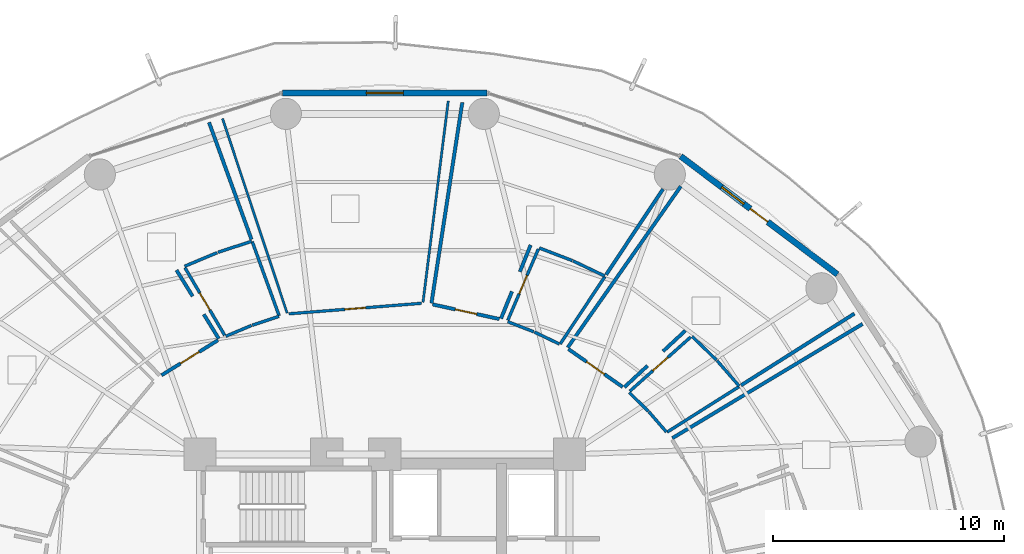
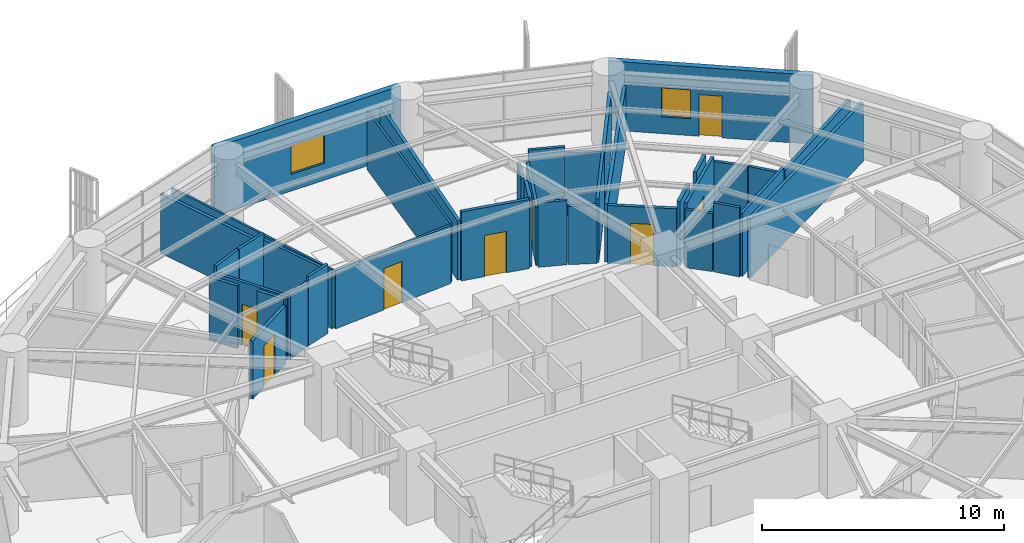
# One storey, part 28 of 33: 38 walls, 8 doors, 2 windows, 10 openings.
"""IFC4 building model written with IfcOpenShell, lengths in metres."""

from ifc_helpers import new_model, si_unit, direction, frame, frame_2d, origin, place, context, subcontext, project, spatial, rectangle, extrude, material, layer, layer_set, type_object, element, fill, save


model = new_model("IFC4")

# Units and contexts
model_context = context("Model", 3, precision=1e-05, world=origin(), true_north=direction((0.0, 1.0)))
body_context = subcontext(model_context, "Body", "Model", "MODEL_VIEW")
ifc_project = project(units=[si_unit("LENGTHUNIT", "METRE"), si_unit("AREAUNIT", "SQUARE_METRE"), si_unit("VOLUMEUNIT", "CUBIC_METRE"), si_unit("PLANEANGLEUNIT", "RADIAN"), si_unit("MASSUNIT", "GRAM", prefix="KILO")], contexts=[model_context])

# Site, building, storey
site_placement = place(None, origin())
site = spatial("IfcSite", under=ifc_project, at=site_placement, CompositionType="ELEMENT")
building_placement = place(site_placement, origin())
building = spatial("IfcBuilding", under=site, at=building_placement, Name="Kelanora Arch Commons", CompositionType="ELEMENT")
storey_placement = place(building_placement, frame((0.0, 0.0, 80.10009765625)))
storey = spatial("IfcBuildingStorey", under=building, at=storey_placement, Name="L20", CompositionType="ELEMENT", Elevation=80.10009765625)

# Wall, opening, door
ifc_material_1 = material(Name="Autoclaved aerated concrete blockwork with fire plaster", Category="masonry")
ifc_layer_1 = layer(ifc_material_1, 0.14990234375)
ifc_layer_set_1 = layer_set([ifc_layer_1], Name="Autoclaved aerated concrete blockwork with fire plaster")
wall_type_1 = type_object("IfcWallType", Name="W-COMP-150", PredefinedType="PARTITIONING", material=ifc_layer_set_1)
wall_1_placement = place(storey_placement, frame((84.2978515625, 67.92041015625, 0.0), z_axis=(0.0, 0.0, 1.0), x_axis=(-0.819775565256, 0.572684924378, 0.0)))
wall_1 = element("IfcWall", 1, at=wall_1_placement, inside=storey, type_object=wall_type_1, Name="Co-Living Studio L20-02 Entry Partition", PredefinedType="PARTITIONING", context=body_context, shape_type="SweptSolid", body=[
    extrude(rectangle(XDim=2.867431640625, YDim=0.14990234375, at=frame_2d((1.43359375, 0.0))), origin(), (0.0, 0.0, 1.0), 2.9248046875),
])
opening_1_placement = place(wall_1_placement, frame((0.958984375, 0.0, 0.0)))
opening_1 = element("IfcOpeningElement", 2, at=opening_1_placement, cuts=wall_1, Name="Opening D-CLU1", PredefinedType="OPENING", context=body_context, shape_type="SweptSolid", body=[
    extrude(rectangle(XDim=0.949951171875, YDim=2.080078125, at=frame_2d((0.47509765625, 1.0400390625))), frame((0.0, 0.0849609375, 0.0), z_axis=(0.0, -1.0, 0.0), x_axis=(1.0, 0.0, 0.0)), (0.0, 0.0, 1.0), 0.169921875),
])
ifc_material_2 = material(Name="Solid-core acoustic timber cluster entry fire door", Category="wood")
door_type_1 = type_object("IfcDoorType", Name="D-CLU-95", OperationType="NOTDEFINED", PredefinedType="DOOR", material=ifc_material_2)
door_1_placement = place(opening_1_placement, origin())
door_1 = element("IfcDoor", 3, at=door_1_placement, inside=storey, type_object=door_type_1, Name="Co-Living Studio L20-02 Door", OperationType="SINGLE_SWING_RIGHT", OverallHeight=2.080078125, OverallWidth=0.949951171875, PredefinedType="DOOR", context=body_context, shape_type="SweptSolid", body=[
    extrude(rectangle(XDim=0.949951171875, YDim=2.080078125, at=frame_2d((0.47509765625, 1.0400390625))), frame((0.0, 0.02490234375, 0.0), z_axis=(0.0, -1.0, 0.0), x_axis=(1.0, 0.0, 0.0)), (0.0, 0.0, 1.0), 0.050048828125),
])
fill(opening_1, door_1)

wall_2_placement = place(storey_placement, frame((78.96044921875, 70.86083984375, 0.0), z_axis=(0.0, 0.0, 1.0), x_axis=(-0.976789452363, 0.214201694093, 0.0)))
wall_2 = element("IfcWall", 4, at=wall_2_placement, inside=storey, type_object=wall_type_1, Name="Co-Living Studio L20-03 Entry Partition", PredefinedType="PARTITIONING", context=body_context, shape_type="SweptSolid", body=[
    extrude(rectangle(XDim=2.95654296875, YDim=0.14990234375, at=frame_2d((1.478271484375, 0.0))), origin(), (0.0, 0.0, 1.0), 3.47998046875),
])
opening_2_placement = place(wall_2_placement, frame((1.0029296875, 0.0, 0.0)))
opening_2 = element("IfcOpeningElement", 5, at=opening_2_placement, cuts=wall_2, Name="Opening D-CLU1", PredefinedType="OPENING", context=body_context, shape_type="SweptSolid", body=[
    extrude(rectangle(XDim=0.949951171875, YDim=2.080078125, at=frame_2d((0.47509765625, 1.0400390625))), frame((0.0, 0.0849609375, 0.0), z_axis=(0.0, -1.0, 0.0), x_axis=(1.0, 0.0, 0.0)), (0.0, 0.0, 1.0), 0.169921875),
])
door_2_placement = place(opening_2_placement, origin())
door_2 = element("IfcDoor", 6, at=door_2_placement, inside=storey, type_object=door_type_1, Name="Co-Living Studio L20-03 Door", OperationType="SINGLE_SWING_RIGHT", OverallHeight=2.080078125, OverallWidth=0.949951171875, PredefinedType="DOOR", context=body_context, shape_type="SweptSolid", body=[
    extrude(rectangle(XDim=0.949951171875, YDim=2.080078125, at=frame_2d((0.47509765625, 1.0400390625))), frame((0.0, 0.02490234375, 0.0), z_axis=(0.0, -1.0, 0.0), x_axis=(1.0, 0.0, 0.0)), (0.0, 0.0, 1.0), 0.050048828125),
])
fill(opening_2, door_2)

wall_3_placement = place(storey_placement, frame((66.779052734375, 69.947265625, 0.0), z_axis=(0.0, 0.0, 1.0), x_axis=(-0.849569495091, -0.527476703761, 0.0)))
wall_3 = element("IfcWall", 7, at=wall_3_placement, inside=storey, type_object=wall_type_1, Name="Co-Living Studio L20-05 Entry Partition", PredefinedType="PARTITIONING", context=body_context, shape_type="SweptSolid", body=[
    extrude(rectangle(XDim=2.882568359375, YDim=0.14990234375, at=frame_2d((1.44140625, 0.0))), origin(), (0.0, 0.0, 1.0), 2.9248046875),
])
opening_3_placement = place(wall_3_placement, frame((0.966064453125, 0.0, 0.0)))
opening_3 = element("IfcOpeningElement", 8, at=opening_3_placement, cuts=wall_3, Name="Opening D-CLU1", PredefinedType="OPENING", context=body_context, shape_type="SweptSolid", body=[
    extrude(rectangle(XDim=0.949951171875, YDim=2.080078125, at=frame_2d((0.47509765625, 1.0400390625))), frame((0.0, 0.0849609375, 0.0), z_axis=(0.0, -1.0, 0.0), x_axis=(1.0, 0.0, 0.0)), (0.0, 0.0, 1.0), 0.169921875),
])
door_3_placement = place(opening_3_placement, origin())
door_3 = element("IfcDoor", 9, at=door_3_placement, inside=storey, type_object=door_type_1, Name="Co-Living Studio L20-05 Door", OperationType="SINGLE_SWING_LEFT", OverallHeight=2.080078125, OverallWidth=0.949951171875, PredefinedType="DOOR", context=body_context, shape_type="SweptSolid", body=[
    extrude(rectangle(XDim=0.949951171875, YDim=2.080078125, at=frame_2d((0.47509765625, 1.0400390625))), frame((0.0, 0.02490234375, 0.0), z_axis=(0.0, -1.0, 0.0), x_axis=(1.0, 0.0, 0.0)), (0.0, 0.0, 1.0), 0.050048828125),
])
fill(opening_3, door_3)

# Walls
wall_4_placement = place(storey_placement, frame((86.4501953125, 65.70166015625, 0.0), z_axis=(0.0, 0.0, 1.0), x_axis=(0.857261851198, 0.514880683731, 0.0)))
element("IfcWall", 10, at=wall_4_placement, inside=storey, type_object=wall_type_1, Name="Co-Living Studio L20-01 Enclosure Partition 2", PredefinedType="PARTITIONING", context=body_context, shape_type="SweptSolid", body=[
    extrude(rectangle(XDim=9.605712890625, YDim=0.14990234375, at=frame_2d((4.802734375, 0.0))), origin(), (0.0, 0.0, 1.0), 2.974853515625),
])
wall_5_placement = place(storey_placement, frame((81.9208984375, 69.629638671875, 0.0), z_axis=(0.0, 0.0, 1.0), x_axis=(0.574246298275, 0.818682593511, 0.0)))
element("IfcWall", 11, at=wall_5_placement, inside=storey, type_object=wall_type_1, Name="Co-Living Studio L20-02 Enclosure Partition 2", PredefinedType="PARTITIONING", context=body_context, shape_type="SweptSolid", body=[
    extrude(rectangle(XDim=8.524658203125, YDim=0.14990234375, at=frame_2d((4.26220703125, 0.0))), origin(), (0.0, 0.0, 1.0), 2.9248046875),
])
wall_6_placement = place(storey_placement, frame((94.333251953125, 71.0966796875, 0.0), z_axis=(0.0, 0.0, 1.0), x_axis=(-0.845032344767, -0.534715191759, 0.0)))
element("IfcWall", 12, at=wall_6_placement, inside=storey, type_object=wall_type_1, Name="Co-Living Studio L20-02 Enclosure Partition 5", PredefinedType="PARTITIONING", context=body_context, shape_type="SweptSolid", body=[
    extrude(rectangle(XDim=5.810791015625, YDim=0.14990234375, at=frame_2d((2.9052734375, 0.0))), origin(), (0.0, 0.0, 1.0), 2.974853515625),
])
wall_7_placement = place(storey_placement, frame((87.0166015625, 70.36279296875, 0.0), z_axis=(0.0, 0.0, 1.0), x_axis=(-0.733142432265, -0.680075123801, 0.0)))
element("IfcWall", 13, at=wall_7_placement, inside=storey, type_object=wall_type_1, Name="Co-Living Studio L20-02 Enclosure Partition 7", PredefinedType="PARTITIONING", context=body_context, shape_type="SweptSolid", body=[
    extrude(rectangle(XDim=1.3203125, YDim=0.14990234375, at=frame_2d((0.66015625, 0.0))), origin(), (0.0, 0.0, 1.0), 3.1748046875),
])
wall_8_placement = place(storey_placement, frame((85.3740234375, 68.8388671875, 0.0), z_axis=(0.0, 0.0, 1.0), x_axis=(-0.733068131904, -0.680155213159, 0.0)))
element("IfcWall", 14, at=wall_8_placement, inside=storey, type_object=wall_type_1, Name="Co-Living Studio L20-02 Enclosure Partition 7", PredefinedType="PARTITIONING", context=body_context, shape_type="SweptSolid", body=[
    extrude(rectangle(XDim=1.361083984375, YDim=0.14990234375, at=frame_2d((0.6806640625, 0.0))), origin(), (0.0, 0.0, 1.0), 3.23486328125),
])
wall_9_placement = place(storey_placement, frame((76.02001953125, 71.54638671875, 0.0), z_axis=(0.0, 0.0, 1.0), x_axis=(0.151710828081, 0.988424921096, 0.0)))
element("IfcWall", 15, at=wall_9_placement, inside=storey, type_object=wall_type_1, Name="Co-Living Studio L20-03 Enclosure Partition 2", PredefinedType="PARTITIONING", context=body_context, shape_type="SweptSolid", body=[
    extrude(rectangle(XDim=8.79296875, YDim=0.14990234375, at=frame_2d((4.396484375, 0.0))), origin(), (0.0, 0.0, 1.0), 2.974853515625),
])
wall_10_placement = place(storey_placement, frame((86.042724609375, 76.488037109375, 0.0), z_axis=(0.0, 0.0, 1.0), x_axis=(-0.553014365691, -0.833171717799, 0.0)))
element("IfcWall", 16, at=wall_10_placement, inside=storey, type_object=wall_type_1, Name="Co-Living Studio L20-03 Enclosure Partition 5", PredefinedType="PARTITIONING", context=body_context, shape_type="SweptSolid", body=[
    extrude(rectangle(XDim=4.44775390625, YDim=0.14990234375, at=frame_2d((2.223876953125, 0.0))), origin(), (0.0, 0.0, 1.0), 2.9248046875),
])
wall_11_placement = place(storey_placement, frame((80.31298828125, 74.06494140625, 0.0), z_axis=(0.0, 0.0, 1.0), x_axis=(-0.373249856729, -0.927730857766, 0.0)))
element("IfcWall", 17, at=wall_11_placement, inside=storey, type_object=wall_type_1, Name="Co-Living Studio L20-03 Enclosure Partition 7", PredefinedType="PARTITIONING", context=body_context, shape_type="SweptSolid", body=[
    extrude(rectangle(XDim=1.24462890625, YDim=0.14990234375, at=frame_2d((0.622314453125, 0.0))), origin(), (0.0, 0.0, 1.0), 2.9248046875),
])
wall_12_placement = place(storey_placement, frame((79.505126953125, 72.056396484375, 0.0), z_axis=(0.0, 0.0, 1.0), x_axis=(-0.373190252803, -0.927754835726, 0.0)))
element("IfcWall", 18, at=wall_12_placement, inside=storey, type_object=wall_type_1, Name="Co-Living Studio L20-03 Enclosure Partition 7", PredefinedType="PARTITIONING", context=body_context, shape_type="SweptSolid", body=[
    extrude(rectangle(XDim=1.2626953125, YDim=0.14990234375, at=frame_2d((0.63134765625, 0.0))), origin(), (0.0, 0.0, 1.0), 3.47998046875),
])
wall_13_placement = place(storey_placement, frame((66.388671875, 79.37841796875, 0.0), z_axis=(0.0, 0.0, 1.0), x_axis=(0.340728267281, -0.940161820048, 0.0)))
element("IfcWall", 19, at=wall_13_placement, inside=storey, type_object=wall_type_1, Name="Co-Living Studio L20-05 Enclosure Partition 5", PredefinedType="PARTITIONING", context=body_context, shape_type="SweptSolid", body=[
    extrude(rectangle(XDim=5.390380859375, YDim=0.14990234375, at=frame_2d((2.6953125, 0.0))), origin(), (0.0, 0.0, 1.0), 2.974853515625),
])
wall_14_placement = place(storey_placement, frame((64.98095703125, 72.97900390625, 0.0), z_axis=(0.0, 0.0, 1.0), x_axis=(0.524609403226, -0.851343041345, 0.0)))
element("IfcWall", 20, at=wall_14_placement, inside=storey, type_object=wall_type_1, Name="Co-Living Studio L20-05 Enclosure Partition 7", PredefinedType="PARTITIONING", context=body_context, shape_type="SweptSolid", body=[
    extrude(rectangle(XDim=1.330078125, YDim=0.14990234375, at=frame_2d((0.6650390625, 0.0))), origin(), (0.0, 0.0, 1.0), 3.1748046875),
])
wall_15_placement = place(storey_placement, frame((66.16162109375, 71.0634765625, 0.0), z_axis=(0.0, 0.0, 1.0), x_axis=(0.52475967521, -0.851250423362, 0.0)))
element("IfcWall", 21, at=wall_15_placement, inside=storey, type_object=wall_type_1, Name="Co-Living Studio L20-05 Enclosure Partition 7", PredefinedType="PARTITIONING", context=body_context, shape_type="SweptSolid", body=[
    extrude(rectangle(XDim=1.23388671875, YDim=0.14990234375, at=frame_2d((0.616943359375, 0.0))), origin(), (0.0, 0.0, 1.0), 3.23486328125),
])

# Wall, openings, door, window
ifc_material_3 = material(Name="Precast concrete C40/50 with terracotta rainscreen", Category="masonry")
ifc_layer_2 = layer(ifc_material_3, 0.260009765625)
ifc_layer_set_2 = layer_set([ifc_layer_2], Name="Precast concrete C40/50 with terracotta rainscreen")
wall_type_2 = type_object("IfcWallType", Name="W-EXT-TC", PredefinedType="SOLIDWALL", material=ifc_layer_set_2)
wall_16_placement = place(storey_placement, frame((93.5986328125, 72.793212890625, 0.0), z_axis=(0.0, 0.0, 1.0), x_axis=(-0.798501507879, 0.601992808857, 0.0)))
wall_16 = element("IfcWall", 22, at=wall_16_placement, inside=storey, type_object=wall_type_2, Name="Terracotta Exterior Wall L20-B02", PredefinedType="SOLIDWALL", context=body_context, shape_type="SweptSolid", body=[
    extrude(rectangle(XDim=8.499267578125, YDim=0.260009765625, at=frame_2d((4.24951171875, 0.0))), origin(), (0.0, 0.0, 1.0), 3.474853515625),
])
opening_4_placement = place(wall_16_placement, frame((3.77490234375, 0.0, 0.0)))
opening_4 = element("IfcOpeningElement", 23, at=opening_4_placement, cuts=wall_16, Name="Opening DB-01", PredefinedType="OPENING", context=body_context, shape_type="SweptSolid", body=[
    extrude(rectangle(XDim=0.949951171875, YDim=2.10009765625, at=frame_2d((0.47509765625, 1.050048828125))), frame((0.0, 0.14013671875, 0.0), z_axis=(0.0, -1.0, 0.0), x_axis=(1.0, 0.0, 0.0)), (0.0, 0.0, 1.0), 0.280029296875),
])
opening_5_placement = place(wall_16_placement, frame((5.074951171875, 0.0, 0.85009765625)))
opening_5 = element("IfcOpeningElement", 24, at=opening_5_placement, cuts=wall_16, Name="Opening WN-02", PredefinedType="OPENING", context=body_context, shape_type="SweptSolid", body=[
    extrude(rectangle(XDim=1.199951171875, YDim=1.449951171875, at=frame_2d((0.60009765625, 0.72509765625))), frame((0.0, 0.14013671875, 0.0), z_axis=(0.0, -1.0, 0.0), x_axis=(1.0, 0.0, 0.0)), (0.0, 0.0, 1.0), 0.280029296875),
])
ifc_material_4 = material(Name="Terracotta-aluminium thermally broken glazed balcony door", Category="masonry")
door_type_2 = type_object("IfcDoorType", Name="D-BAL-10", OperationType="NOTDEFINED", PredefinedType="DOOR", material=ifc_material_4)
door_4_placement = place(opening_4_placement, frame((0.949951171875, 0.0, 0.0), z_axis=(0.0, 0.0, 1.0), x_axis=(-1.0, 0.0, 0.0)))
door_4 = element("IfcDoor", 25, at=door_4_placement, inside=storey, type_object=door_type_2, Name="Wave Balcony Door L20-B02", OperationType="SINGLE_SWING_LEFT", OverallHeight=2.10009765625, OverallWidth=0.949951171875, PredefinedType="DOOR", context=body_context, shape_type="SweptSolid", body=[
    extrude(rectangle(XDim=0.949951171875, YDim=2.10009765625, at=frame_2d((0.47509765625, 1.050048828125))), frame((0.0, 0.02490234375, 0.0), z_axis=(0.0, -1.0, 0.0), x_axis=(1.0, 0.0, 0.0)), (0.0, 0.0, 1.0), 0.050048828125),
])
fill(opening_4, door_4)
ifc_material_5 = material(Name="Terracotta-anodised aluminium frame with operable awning sash", Category="masonry")
window_type_1 = type_object("IfcWindowType", Name="WIN-CL-12", PartitioningType="SINGLE_PANEL", PredefinedType="WINDOW", material=ifc_material_5)
window_1_placement = place(opening_5_placement, origin())
window_1 = element("IfcWindow", 26, at=window_1_placement, inside=storey, type_object=window_type_1, Name="Co-Living Operable Window L20-B02", OverallHeight=1.449951171875, OverallWidth=1.199951171875, PartitioningType="SINGLE_PANEL", PredefinedType="WINDOW", context=body_context, shape_type="SweptSolid", body=[
    extrude(rectangle(XDim=1.199951171875, YDim=1.449951171875, at=frame_2d((0.60009765625, 0.72509765625))), frame((0.0, 0.030029296875, 0.0), z_axis=(0.0, -1.0, 0.0), x_axis=(1.0, 0.0, 0.0)), (0.0, 0.0, 1.0), 0.06005859375),
])
fill(opening_5, window_1)

# Wall, opening, window
wall_17_placement = place(storey_placement, frame((78.430419921875, 80.650634765625, 0.0), z_axis=(0.0, 0.0, 1.0), x_axis=(-1.0, 0.0, 0.0)))
wall_17 = element("IfcWall", 27, at=wall_17_placement, inside=storey, type_object=wall_type_2, Name="Terracotta Exterior Wall L20-B04", PredefinedType="SOLIDWALL", context=body_context, shape_type="SweptSolid", body=[
    extrude(rectangle(XDim=8.86083984375, YDim=0.260009765625, at=frame_2d((4.430419921875, 0.0))), origin(), (0.0, 0.0, 1.0), 3.474853515625),
])
opening_6_placement = place(wall_17_placement, frame((3.6298828125, 0.0, 0.85009765625)))
opening_6 = element("IfcOpeningElement", 28, at=opening_6_placement, cuts=wall_17, Name="Opening WN-01", PredefinedType="OPENING", context=body_context, shape_type="SweptSolid", body=[
    extrude(rectangle(XDim=1.60009765625, YDim=1.449951171875, at=frame_2d((0.800048828125, 0.72509765625))), frame((0.0, 0.14013671875, 0.0), z_axis=(0.0, -1.0, 0.0), x_axis=(1.0, 0.0, 0.0)), (0.0, 0.0, 1.0), 0.280029296875),
])
ifc_material_6 = material(Name="Terracotta-anodised aluminium frame with operable low-E glazing", Category="masonry")
window_type_2 = type_object("IfcWindowType", Name="WIN-CL-18", PartitioningType="DOUBLE_PANEL_VERTICAL", PredefinedType="WINDOW", material=ifc_material_6)
window_2_placement = place(opening_6_placement, origin())
window_2 = element("IfcWindow", 29, at=window_2_placement, inside=storey, type_object=window_type_2, Name="Co-Living Operable Window L20-B04", OverallHeight=1.449951171875, OverallWidth=1.60009765625, PartitioningType="SINGLE_PANEL", PredefinedType="WINDOW", context=body_context, shape_type="SweptSolid", body=[
    extrude(rectangle(XDim=1.60009765625, YDim=1.449951171875, at=frame_2d((0.800048828125, 0.72509765625))), frame((0.0, 0.030029296875, 0.0), z_axis=(0.0, -1.0, 0.0), x_axis=(1.0, 0.0, 0.0)), (0.0, 0.0, 1.0), 0.06005859375),
])
fill(opening_6, window_2)

# Walls
ifc_material_7 = material(Name="Lightweight fire-rated acoustic stud partition")
ifc_layer_3 = layer(ifc_material_7, 0.10009765625)
ifc_layer_set_3 = layer_set([ifc_layer_3], Name="Lightweight fire-rated acoustic stud partition")
wall_type_3 = type_object("IfcWallType", Name="W-PART-100", PredefinedType="PARTITIONING", material=ifc_layer_set_3)
wall_18_placement = place(storey_placement, frame((69.769287109375, 71.1201171875, 0.0), z_axis=(0.0, 0.0, 1.0), x_axis=(-0.315178903164, 0.949032275005, 0.0)))
element("IfcWall", 30, at=wall_18_placement, inside=storey, type_object=wall_type_3, Name="Communal Dining and Social Hall L20-04 Enclosure Partition 2", PredefinedType="PARTITIONING", context=body_context, shape_type="SweptSolid", body=[
    extrude(rectangle(XDim=8.8701171875, YDim=0.10009765625, at=frame_2d((4.43505859375, 0.0))), origin(), (0.0, 0.0, 1.0), 2.974853515625),
])
wall_19_placement = place(storey_placement, frame((76.7470703125, 80.30419921875, 0.0), z_axis=(0.0, 0.0, 1.0), x_axis=(-0.124421236745, -0.992229487491, 0.0)))
element("IfcWall", 31, at=wall_19_placement, inside=storey, type_object=wall_type_3, Name="Communal Dining and Social Hall L20-04 Enclosure Partition 4", PredefinedType="PARTITIONING", context=body_context, shape_type="SweptSolid", body=[
    extrude(rectangle(XDim=8.784912109375, YDim=0.10009765625, at=frame_2d((4.392578125, 0.0))), origin(), (0.0, 0.0, 1.0), 2.974853515625),
])

# Wall, opening, door
ifc_material_8 = material(Name="Acoustic twin-stud fire-rated gypsum partition")
ifc_layer_4 = layer(ifc_material_8, 0.1201171875)
ifc_layer_set_4 = layer_set([ifc_layer_4], Name="Acoustic twin-stud fire-rated gypsum partition")
wall_type_4 = type_object("IfcWallType", Name="W-PART-120", PredefinedType="PARTITIONING", material=ifc_layer_set_4)
wall_20_placement = place(storey_placement, frame((75.589111328125, 71.543212890625, 0.0), z_axis=(0.0, 0.0, 1.0), x_axis=(-0.996863165686, -0.079144354814, 0.0)))
wall_20 = element("IfcWall", 32, at=wall_20_placement, inside=storey, type_object=wall_type_4, Name="Communal Dining and Social Hall L20-04 Entry Partition", PredefinedType="PARTITIONING", context=body_context, shape_type="SweptSolid", body=[
    extrude(rectangle(XDim=5.765380859375, YDim=0.1201171875, at=frame_2d((2.8828125, 0.0))), origin(), (0.0, 0.0, 1.0), 2.9248046875),
])
opening_7_placement = place(wall_20_placement, frame((2.43310546875, 0.0, 0.0)))
opening_7 = element("IfcOpeningElement", 33, at=opening_7_placement, cuts=wall_20, Name="Opening D-RM1", PredefinedType="OPENING", context=body_context, shape_type="SweptSolid", body=[
    extrude(rectangle(XDim=0.89990234375, YDim=2.080078125, at=frame_2d((0.449951171875, 1.0400390625))), frame((0.0, 0.070068359375, 0.0), z_axis=(0.0, -1.0, 0.0), x_axis=(1.0, 0.0, 0.0)), (0.0, 0.0, 1.0), 0.14013671875),
])
ifc_material_9 = material(Name="Acoustic fire-rated timber study and lounge door", Category="wood")
door_type_3 = type_object("IfcDoorType", Name="D-ROOM-90", OperationType="NOTDEFINED", PredefinedType="DOOR", material=ifc_material_9)
door_5_placement = place(opening_7_placement, origin())
door_5 = element("IfcDoor", 34, at=door_5_placement, inside=storey, type_object=door_type_3, Name="Communal Dining and Social Hall L20-04 Door", OperationType="SINGLE_SWING_LEFT", OverallHeight=2.080078125, OverallWidth=0.89990234375, PredefinedType="DOOR", context=body_context, shape_type="SweptSolid", body=[
    extrude(rectangle(XDim=0.89990234375, YDim=2.080078125, at=frame_2d((0.449951171875, 1.0400390625))), frame((0.0, 0.02490234375, 0.0), z_axis=(0.0, -1.0, 0.0), x_axis=(1.0, 0.0, 0.0)), (0.0, 0.0, 1.0), 0.050048828125),
])
fill(opening_7, door_5)

ifc_material_10 = material(Name="Moisture-resistant fire-rated cement-board plumbing wall")
ifc_layer_5 = layer(ifc_material_10, 0.1298828125)
ifc_layer_set_5 = layer_set([ifc_layer_5], Name="Moisture-resistant fire-rated cement-board plumbing wall")
wall_type_5 = type_object("IfcWallType", Name="W-WET-120", PredefinedType="PLUMBINGWALL", material=ifc_layer_set_5)
wall_21_placement = place(storey_placement, frame((84.60888671875, 67.73583984375, 0.0), z_axis=(0.0, 0.0, 1.0), x_axis=(0.746989483068, 0.664835853565, 0.0)))
wall_21 = element("IfcWall", 35, at=wall_21_placement, inside=storey, type_object=wall_type_5, Name="En-Suite Shower WC L20-02 Entry Partition", PredefinedType="PLUMBINGWALL", context=body_context, shape_type="SweptSolid", body=[
    extrude(rectangle(XDim=3.530517578125, YDim=0.1298828125, at=frame_2d((1.76513671875, 0.0))), origin(), (0.0, 0.0, 1.0), 3.1748046875),
])
opening_8_placement = place(wall_21_placement, frame((1.3349609375, 0.0, 0.0)))
opening_8 = element("IfcOpeningElement", 36, at=opening_8_placement, cuts=wall_21, Name="Opening D-BT1", PredefinedType="OPENING", context=body_context, shape_type="SweptSolid", body=[
    extrude(rectangle(XDim=0.860107421875, YDim=2.050048828125, at=frame_2d((0.43017578125, 1.02490234375))), frame((0.0, 0.074951171875, 0.0), z_axis=(0.0, -1.0, 0.0), x_axis=(1.0, 0.0, 0.0)), (0.0, 0.0, 1.0), 0.14990234375),
])
ifc_material_11 = material(Name="Moisture-sealed fire-rated accessible bathroom door")
door_type_4 = type_object("IfcDoorType", Name="D-BATH-85", OperationType="NOTDEFINED", PredefinedType="DOOR", material=ifc_material_11)
door_6_placement = place(opening_8_placement, origin())
door_6 = element("IfcDoor", 37, at=door_6_placement, inside=storey, type_object=door_type_4, Name="En-Suite Shower WC L20-02 Door", OperationType="SINGLE_SWING_LEFT", OverallHeight=2.050048828125, OverallWidth=0.860107421875, PredefinedType="DOOR", context=body_context, shape_type="SweptSolid", body=[
    extrude(rectangle(XDim=0.860107421875, YDim=2.050048828125, at=frame_2d((0.43017578125, 1.02490234375))), frame((0.0, 0.02490234375, 0.0), z_axis=(0.0, -1.0, 0.0), x_axis=(1.0, 0.0, 0.0)), (0.0, 0.0, 1.0), 0.050048828125),
])
fill(opening_8, door_6)

wall_22_placement = place(storey_placement, frame((79.32568359375, 70.80908203125, 0.0), z_axis=(0.0, 0.0, 1.0), x_axis=(0.394174106006, 0.919035785024, 0.0)))
wall_22 = element("IfcWall", 38, at=wall_22_placement, inside=storey, type_object=wall_type_5, Name="En-Suite Shower WC L20-03 Entry Partition", PredefinedType="PLUMBINGWALL", context=body_context, shape_type="SweptSolid", body=[
    extrude(rectangle(XDim=3.353271484375, YDim=0.1298828125, at=frame_2d((1.6767578125, 0.0))), origin(), (0.0, 0.0, 1.0), 2.9248046875),
])
opening_9_placement = place(wall_22_placement, frame((1.2470703125, 0.0, 0.0)))
opening_9 = element("IfcOpeningElement", 39, at=opening_9_placement, cuts=wall_22, Name="Opening D-BT1", PredefinedType="OPENING", context=body_context, shape_type="SweptSolid", body=[
    extrude(rectangle(XDim=0.860107421875, YDim=2.050048828125, at=frame_2d((0.43017578125, 1.02490234375))), frame((0.0, 0.074951171875, 0.0), z_axis=(0.0, -1.0, 0.0), x_axis=(1.0, 0.0, 0.0)), (0.0, 0.0, 1.0), 0.14990234375),
])
door_7_placement = place(opening_9_placement, origin())
door_7 = element("IfcDoor", 40, at=door_7_placement, inside=storey, type_object=door_type_4, Name="En-Suite Shower WC L20-03 Door", OperationType="SINGLE_SWING_LEFT", OverallHeight=2.050048828125, OverallWidth=0.860107421875, PredefinedType="DOOR", context=body_context, shape_type="SweptSolid", body=[
    extrude(rectangle(XDim=0.860107421875, YDim=2.050048828125, at=frame_2d((0.43017578125, 1.02490234375))), frame((0.0, 0.02490234375, 0.0), z_axis=(0.0, -1.0, 0.0), x_axis=(1.0, 0.0, 0.0)), (0.0, 0.0, 1.0), 0.050048828125),
])
fill(opening_9, door_7)

wall_23_placement = place(storey_placement, frame((67.065673828125, 70.15869140625, 0.0), z_axis=(0.0, 0.0, 1.0), x_axis=(-0.506831608452, 0.862045080419, 0.0)))
wall_23 = element("IfcWall", 41, at=wall_23_placement, inside=storey, type_object=wall_type_5, Name="En-Suite Shower WC L20-05 Entry Partition", PredefinedType="PLUMBINGWALL", context=body_context, shape_type="SweptSolid", body=[
    extrude(rectangle(XDim=3.39599609375, YDim=0.1298828125, at=frame_2d((1.697998046875, 0.0))), origin(), (0.0, 0.0, 1.0), 3.1748046875),
])
opening_10_placement = place(wall_23_placement, frame((1.26806640625, 0.0, 0.0)))
opening_10 = element("IfcOpeningElement", 42, at=opening_10_placement, cuts=wall_23, Name="Opening D-BT1", PredefinedType="OPENING", context=body_context, shape_type="SweptSolid", body=[
    extrude(rectangle(XDim=0.860107421875, YDim=2.050048828125, at=frame_2d((0.43017578125, 1.02490234375))), frame((0.0, 0.074951171875, 0.0), z_axis=(0.0, -1.0, 0.0), x_axis=(1.0, 0.0, 0.0)), (0.0, 0.0, 1.0), 0.14990234375),
])
door_8_placement = place(opening_10_placement, origin())
door_8 = element("IfcDoor", 43, at=door_8_placement, inside=storey, type_object=door_type_4, Name="En-Suite Shower WC L20-05 Door", OperationType="SINGLE_SWING_RIGHT", OverallHeight=2.050048828125, OverallWidth=0.860107421875, PredefinedType="DOOR", context=body_context, shape_type="SweptSolid", body=[
    extrude(rectangle(XDim=0.860107421875, YDim=2.050048828125, at=frame_2d((0.43017578125, 1.02490234375))), frame((0.0, 0.02490234375, 0.0), z_axis=(0.0, -1.0, 0.0), x_axis=(1.0, 0.0, 0.0)), (0.0, 0.0, 1.0), 0.050048828125),
])
fill(opening_10, door_8)

# Walls
wall_24_placement = place(storey_placement, frame((86.19287109375, 65.968994140625, 0.0), z_axis=(0.0, 0.0, 1.0), x_axis=(-0.654583900851, 0.755989362853, 0.0)))
element("IfcWall", 44, at=wall_24_placement, inside=storey, type_object=wall_type_5, Name="En-Suite Shower WC L20-02 Enclosure Partition 1", PredefinedType="PLUMBINGWALL", context=body_context, shape_type="SweptSolid", body=[
    extrude(rectangle(XDim=1.1533203125, YDim=0.1298828125, at=frame_2d((0.57666015625, 0.0))), origin(), (0.0, 0.0, 1.0), 3.47998046875),
])
wall_25_placement = place(storey_placement, frame((85.41064453125, 66.8701171875, 0.0), z_axis=(0.0, 0.0, 1.0), x_axis=(-0.715871547002, 0.698232001696, 0.0)))
element("IfcWall", 45, at=wall_25_placement, inside=storey, type_object=wall_type_5, Name="En-Suite Shower WC L20-02 Enclosure Partition 2", PredefinedType="PLUMBINGWALL", context=body_context, shape_type="SweptSolid", body=[
    extrude(rectangle(XDim=1.16259765625, YDim=0.1298828125, at=frame_2d((0.581298828125, 0.0))), origin(), (0.0, 0.0, 1.0), 2.9248046875),
])
wall_26_placement = place(storey_placement, frame((87.305419921875, 70.109130859375, 0.0), z_axis=(0.0, 0.0, 1.0), x_axis=(0.718235032224, -0.69580057379, 0.0)))
element("IfcWall", 46, at=wall_26_placement, inside=storey, type_object=wall_type_5, Name="En-Suite Shower WC L20-02 Enclosure Partition 4", PredefinedType="PLUMBINGWALL", context=body_context, shape_type="SweptSolid", body=[
    extrude(rectangle(XDim=1.46923828125, YDim=0.1298828125, at=frame_2d((0.734619140625, 0.0))), origin(), (0.0, 0.0, 1.0), 2.9248046875),
])
wall_27_placement = place(storey_placement, frame((88.38818359375, 69.057861328125, 0.0), z_axis=(0.0, 0.0, 1.0), x_axis=(0.656315808405, -0.754486288568, 0.0)))
element("IfcWall", 47, at=wall_27_placement, inside=storey, type_object=wall_type_5, Name="En-Suite Shower WC L20-02 Enclosure Partition 5", PredefinedType="PLUMBINGWALL", context=body_context, shape_type="SweptSolid", body=[
    extrude(rectangle(XDim=1.454833984375, YDim=0.1298828125, at=frame_2d((0.7275390625, 0.0))), origin(), (0.0, 0.0, 1.0), 2.9248046875),
])
wall_28_placement = place(storey_placement, frame((89.339111328125, 67.934326171875, 0.0), z_axis=(0.0, 0.0, 1.0), x_axis=(-0.845293712827, -0.53430191751, 0.0)))
element("IfcWall", 48, at=wall_28_placement, inside=storey, type_object=wall_type_5, Name="En-Suite Shower WC L20-02 Enclosure Partition 6", PredefinedType="PLUMBINGWALL", context=body_context, shape_type="SweptSolid", body=[
    extrude(rectangle(XDim=3.6865234375, YDim=0.1298828125, at=frame_2d((1.84326171875, 0.0))), origin(), (0.0, 0.0, 1.0), 3.1748046875),
])
wall_29_placement = place(storey_placement, frame((81.56494140625, 69.776611328125, 0.0), z_axis=(0.0, 0.0, 1.0), x_axis=(-0.901710288712, 0.432340785991, 0.0)))
element("IfcWall", 49, at=wall_29_placement, inside=storey, type_object=wall_type_5, Name="En-Suite Shower WC L20-03 Enclosure Partition 1", PredefinedType="PLUMBINGWALL", context=body_context, shape_type="SweptSolid", body=[
    extrude(rectangle(XDim=1.199951171875, YDim=0.1298828125, at=frame_2d((0.60009765625, 0.0))), origin(), (0.0, 0.0, 1.0), 2.9248046875),
])
wall_30_placement = place(storey_placement, frame((80.4462890625, 70.311279296875, 0.0), z_axis=(0.0, 0.0, 1.0), x_axis=(-0.932603244632, 0.360903294669, 0.0)))
element("IfcWall", 50, at=wall_30_placement, inside=storey, type_object=wall_type_5, Name="En-Suite Shower WC L20-03 Enclosure Partition 2", PredefinedType="PLUMBINGWALL", context=body_context, shape_type="SweptSolid", body=[
    extrude(rectangle(XDim=1.206787109375, YDim=0.1298828125, at=frame_2d((0.603515625, 0.0))), origin(), (0.0, 0.0, 1.0), 3.23486328125),
])
wall_31_placement = place(storey_placement, frame((80.689697265625, 73.938720703125, 0.0), z_axis=(0.0, 0.0, 1.0), x_axis=(0.933707809738, -0.358035928413, 0.0)))
element("IfcWall", 51, at=wall_31_placement, inside=storey, type_object=wall_type_5, Name="En-Suite Shower WC L20-03 Enclosure Partition 4", PredefinedType="PLUMBINGWALL", context=body_context, shape_type="SweptSolid", body=[
    extrude(rectangle(XDim=1.52685546875, YDim=0.1298828125, at=frame_2d((0.763427734375, 0.0))), origin(), (0.0, 0.0, 1.0), 3.47998046875),
])
wall_32_placement = place(storey_placement, frame((82.152099609375, 73.37646484375, 0.0), z_axis=(0.0, 0.0, 1.0), x_axis=(0.902598876691, -0.430482598714, 0.0)))
element("IfcWall", 52, at=wall_32_placement, inside=storey, type_object=wall_type_5, Name="En-Suite Shower WC L20-03 Enclosure Partition 5", PredefinedType="PLUMBINGWALL", context=body_context, shape_type="SweptSolid", body=[
    extrude(rectangle(XDim=1.518798828125, YDim=0.1298828125, at=frame_2d((0.75927734375, 0.0))), origin(), (0.0, 0.0, 1.0), 3.1748046875),
])
wall_33_placement = place(storey_placement, frame((83.52978515625, 72.697265625, 0.0), z_axis=(0.0, 0.0, 1.0), x_axis=(-0.553523611894, -0.832833483402, 0.0)))
element("IfcWall", 53, at=wall_33_placement, inside=storey, type_object=wall_type_5, Name="En-Suite Shower WC L20-03 Enclosure Partition 6", PredefinedType="PLUMBINGWALL", context=body_context, shape_type="SweptSolid", body=[
    extrude(rectangle(XDim=3.497314453125, YDim=0.1298828125, at=frame_2d((1.74853515625, 0.0))), origin(), (0.0, 0.0, 1.0), 3.1748046875),
])
wall_34_placement = place(storey_placement, frame((69.410888671875, 70.978759765625, 0.0), z_axis=(0.0, 0.0, 1.0), x_axis=(-0.948784055635, -0.315925332592, 0.0)))
element("IfcWall", 54, at=wall_34_placement, inside=storey, type_object=wall_type_5, Name="En-Suite Shower WC L20-05 Enclosure Partition 1", PredefinedType="PLUMBINGWALL", context=body_context, shape_type="SweptSolid", body=[
    extrude(rectangle(XDim=1.2109375, YDim=0.1298828125, at=frame_2d((0.60546875, 0.0))), origin(), (0.0, 0.0, 1.0), 3.47998046875),
])
wall_35_placement = place(storey_placement, frame((68.224609375, 70.582275390625, 0.0), z_axis=(0.0, 0.0, 1.0), x_axis=(-0.921601034592, -0.388138548767, 0.0)))
element("IfcWall", 55, at=wall_35_placement, inside=storey, type_object=wall_type_5, Name="En-Suite Shower WC L20-05 Enclosure Partition 2", PredefinedType="PLUMBINGWALL", context=body_context, shape_type="SweptSolid", body=[
    extrude(rectangle(XDim=1.20458984375, YDim=0.1298828125, at=frame_2d((0.602294921875, 0.0))), origin(), (0.0, 0.0, 1.0), 3.23486328125),
])
wall_36_placement = place(storey_placement, frame((65.33251953125, 73.145751953125, 0.0), z_axis=(0.0, 0.0, 1.0), x_axis=(0.922426393113, 0.38617295256, 0.0)))
element("IfcWall", 56, at=wall_36_placement, inside=storey, type_object=wall_type_5, Name="En-Suite Shower WC L20-05 Enclosure Partition 4", PredefinedType="PLUMBINGWALL", context=body_context, shape_type="SweptSolid", body=[
    extrude(rectangle(XDim=1.524169921875, YDim=0.1298828125, at=frame_2d((0.76220703125, 0.0))), origin(), (0.0, 0.0, 1.0), 3.47998046875),
])
wall_37_placement = place(storey_placement, frame((66.77587890625, 73.748291015625, 0.0), z_axis=(0.0, 0.0, 1.0), x_axis=(0.949634335139, 0.313360223265, 0.0)))
element("IfcWall", 57, at=wall_37_placement, inside=storey, type_object=wall_type_5, Name="En-Suite Shower WC L20-05 Enclosure Partition 5", PredefinedType="PLUMBINGWALL", context=body_context, shape_type="SweptSolid", body=[
    extrude(rectangle(XDim=1.533203125, YDim=0.1298828125, at=frame_2d((0.7666015625, 0.0))), origin(), (0.0, 0.0, 1.0), 3.47998046875),
])
wall_38_placement = place(storey_placement, frame((68.2578125, 74.21630859375, 0.0), z_axis=(0.0, 0.0, 1.0), x_axis=(0.341002962554, -0.940062221095, 0.0)))
element("IfcWall", 58, at=wall_38_placement, inside=storey, type_object=wall_type_5, Name="En-Suite Shower WC L20-05 Enclosure Partition 6", PredefinedType="PLUMBINGWALL", context=body_context, shape_type="SweptSolid", body=[
    extrude(rectangle(XDim=3.417236328125, YDim=0.1298828125, at=frame_2d((1.70849609375, 0.0))), origin(), (0.0, 0.0, 1.0), 3.1748046875),
])

save(model, "model.ifc")
